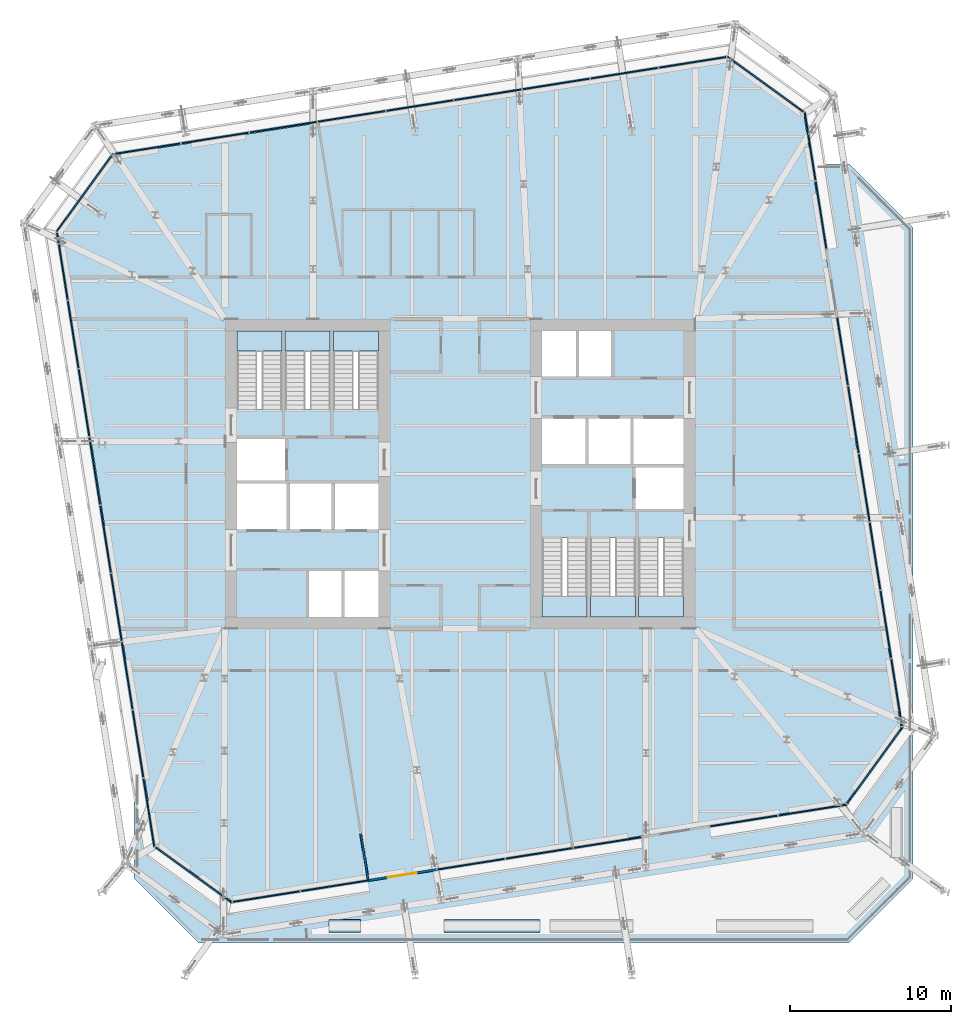
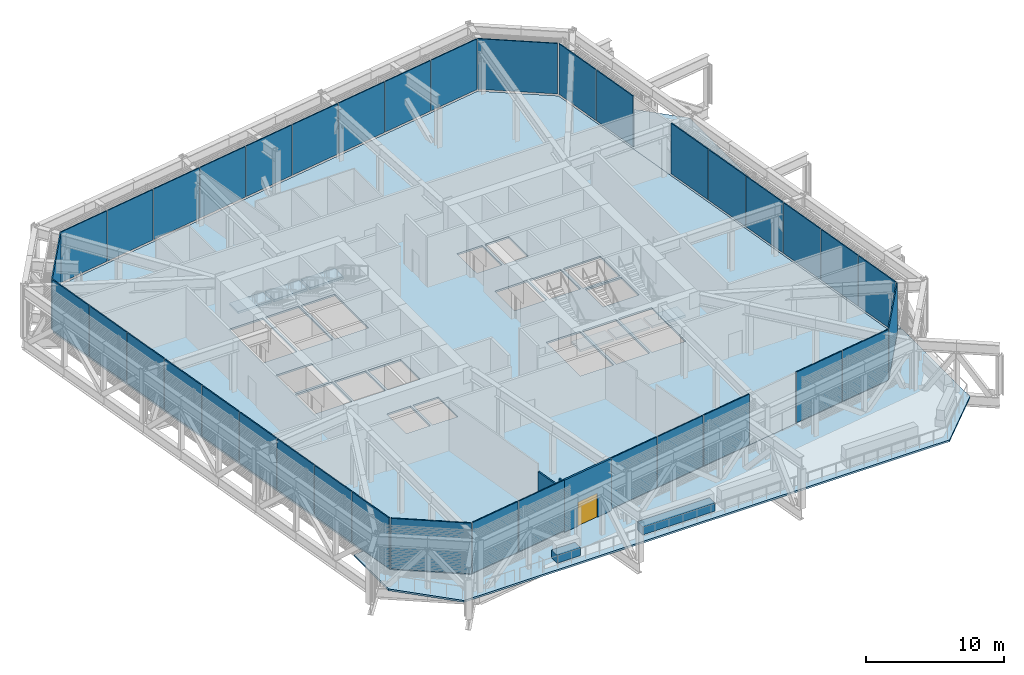
# One storey, part 18 of 32: 37 plates, 9 slabs, 5 walls, 1 door, 1 opening, 14 elements without a shape of their own.
"""IFC4 building model written with IfcOpenShell, lengths in metres."""

from ifc_helpers import new_model, si_unit, direction, frame, frame_2d, origin, place, context, subcontext, project, spatial, polyline, rectangle, outline, extrude, material, layer, layer_set, type_object, element, fill, aggregate, save


model = new_model("IFC4")

# Units and contexts
model_context = context("Model", 3, precision=1e-05, world=origin(), true_north=direction((0.0, 1.0)))
body_context = subcontext(model_context, "Body", "Model", "MODEL_VIEW")
ifc_project = project(units=[si_unit("LENGTHUNIT", "METRE"), si_unit("AREAUNIT", "SQUARE_METRE"), si_unit("VOLUMEUNIT", "CUBIC_METRE"), si_unit("PLANEANGLEUNIT", "RADIAN"), si_unit("MASSUNIT", "GRAM", prefix="KILO")], contexts=[model_context])

# Site, building, storey
site_placement = place(None, origin())
site = spatial("IfcSite", under=ifc_project, at=site_placement, CompositionType="ELEMENT")
building_placement = place(site_placement, origin())
building = spatial("IfcBuilding", under=site, at=building_placement, Name="Millrace Tower", CompositionType="ELEMENT")
storey_placement = place(building_placement, frame((0.0, 0.0, 124.89990234375)))
storey = spatial("IfcBuildingStorey", under=building, at=storey_placement, Name="L27", CompositionType="ELEMENT", Elevation=124.89990234375)

# Curtain wall, plate
ifc_material_1 = material(Name="Aluminium and glass", Category="aluminium")
ifc_layer_1 = layer(ifc_material_1, 0.14990234375)
ifc_layer_set_1 = layer_set([ifc_layer_1], Name="Aluminium and glass")
curtain_wall_type = type_object("IfcCurtainWallType", Name="CW-5 truss and plant storey louvred infill", PredefinedType="NOTDEFINED", material=ifc_layer_set_1)
placement_1 = place(storey_placement, origin())
curtain_wall_1 = element("IfcCurtainWall", 1, at=placement_1, inside=storey, type_object=curtain_wall_type, Name="Curtain wall C-F01 L27", PredefinedType="NOTDEFINED")
ifc_material_2 = material(Name="Glass", Category="glass")
ifc_layer_2 = layer(ifc_material_2, 0.090087890625)
ifc_layer_set_2 = layer_set([ifc_layer_2], Name="Glass")
plate_type = type_object("IfcPlateType", Name="CW-5 truss and plant storey louvred infill louvre cassette", PredefinedType="CURTAIN_PANEL", material=ifc_layer_set_2)
placement_2 = place(storey_placement, frame((0.0, 0.0, 0.14013671875)))
plate_1 = element("IfcPlate", 2, at=placement_2, type_object=plate_type, Name="CW5 panel C-F01.1", PredefinedType="CURTAIN_PANEL", context=body_context, shape_type="SweptSolid", body=[
    extrude(outline(polyline([(-19.001708984375, -23.273193359375), (-14.265869140625, -26.7138671875), (-14.2431640625, -26.619140625), (-18.94873046875, -23.200439453125), (-19.001708984375, -23.273193359375)])), origin(), (0.0, 0.0, 1.0), 4.4599609375),
])
aggregate(curtain_wall_1, [plate_1])

# Curtain wall, plates
curtain_wall_2 = element("IfcCurtainWall", 3, at=placement_1, inside=storey, type_object=curtain_wall_type, Name="Curtain wall C-F02 L27", PredefinedType="NOTDEFINED")
plate_2 = element("IfcPlate", 4, at=placement_2, type_object=plate_type, Name="CW5 panel C-F02.1", PredefinedType="CURTAIN_PANEL", context=body_context, shape_type="SweptSolid", body=[
    extrude(outline(polyline([(-14.152587890625, -26.696044921875), (-9.9697265625, -26.033447265625), (-9.98388671875, -25.944580078125), (-14.166748046875, -26.607177734375), (-14.152587890625, -26.696044921875)])), origin(), (0.0, 0.0, 1.0), 4.4599609375),
])
plate_3 = element("IfcPlate", 5, at=placement_2, type_object=plate_type, Name="CW5 panel C-F02.2", PredefinedType="CURTAIN_PANEL", context=body_context, shape_type="SweptSolid", body=[
    extrude(outline(polyline([(-9.905517578125, -26.0234375), (-5.72265625, -25.36083984375), (-5.73681640625, -25.27197265625), (-9.919677734375, -25.9345703125), (-9.905517578125, -26.0234375)])), origin(), (0.0, 0.0, 1.0), 4.4599609375),
])
plate_4 = element("IfcPlate", 6, at=placement_2, type_object=plate_type, Name="CW5 panel C-F02.4", PredefinedType="CURTAIN_PANEL", context=body_context, shape_type="SweptSolid", body=[
    extrude(outline(polyline([(-1.411376953125, -24.677978515625), (2.771484375, -24.015625), (2.75732421875, -23.9267578125), (-1.425537109375, -24.589111328125), (-1.411376953125, -24.677978515625)])), origin(), (0.0, 0.0, 1.0), 4.4599609375),
])
plate_5 = element("IfcPlate", 7, at=placement_2, type_object=plate_type, Name="CW5 panel C-F02.5", PredefinedType="CURTAIN_PANEL", context=body_context, shape_type="SweptSolid", body=[
    extrude(outline(polyline([(2.835693359375, -24.00537109375), (7.0185546875, -23.3427734375), (7.00439453125, -23.25390625), (2.821533203125, -23.91650390625), (2.835693359375, -24.00537109375)])), origin(), (0.0, 0.0, 1.0), 4.4599609375),
])
plate_6 = element("IfcPlate", 8, at=placement_2, type_object=plate_type, Name="CW5 panel C-F02.6", PredefinedType="CURTAIN_PANEL", context=body_context, shape_type="SweptSolid", body=[
    extrude(outline(polyline([(7.082763671875, -23.332763671875), (11.265625, -22.670166015625), (11.25146484375, -22.581298828125), (7.068603515625, -23.243896484375), (7.082763671875, -23.332763671875)])), origin(), (0.0, 0.0, 1.0), 4.4599609375),
])
plate_7 = element("IfcPlate", 9, at=placement_2, type_object=plate_type, Name="CW5 panel C-F02.8", PredefinedType="CURTAIN_PANEL", context=body_context, shape_type="SweptSolid", body=[
    extrude(outline(polyline([(15.576904296875, -21.9873046875), (19.759765625, -21.324951171875), (19.74560546875, -21.236083984375), (15.562744140625, -21.8984375), (15.576904296875, -21.9873046875)])), origin(), (0.0, 0.0, 1.0), 4.4599609375),
])
plate_8 = element("IfcPlate", 10, at=placement_2, type_object=plate_type, Name="CW5 panel C-F02.9", PredefinedType="CURTAIN_PANEL", context=body_context, shape_type="SweptSolid", body=[
    extrude(outline(polyline([(19.823974609375, -21.314697265625), (24.055908203125, -20.64453125), (24.0048828125, -20.561279296875), (19.809814453125, -21.225830078125), (19.823974609375, -21.314697265625)])), origin(), (0.0, 0.0, 1.0), 4.4599609375),
])
aggregate(curtain_wall_2, [plate_2, plate_3, plate_4, plate_5, plate_6, plate_7, plate_8])

# Curtain wall, plate
curtain_wall_3 = element("IfcCurtainWall", 11, at=placement_1, inside=storey, type_object=curtain_wall_type, Name="Curtain wall C-F03 L27", PredefinedType="NOTDEFINED")
plate_9 = element("IfcPlate", 12, at=placement_2, type_object=plate_type, Name="CW5 panel C-F03.1", PredefinedType="CURTAIN_PANEL", context=body_context, shape_type="SweptSolid", body=[
    extrude(outline(polyline([(24.123291015625, -20.551513671875), (27.56396484375, -15.81591796875), (27.46923828125, -15.793212890625), (24.050537109375, -20.498779296875), (24.123291015625, -20.551513671875)])), origin(), (0.0, 0.0, 1.0), 4.4599609375),
])
aggregate(curtain_wall_3, [plate_9])

# Curtain wall, plates
curtain_wall_4 = element("IfcCurtainWall", 13, at=placement_1, inside=storey, type_object=curtain_wall_type, Name="Curtain wall C-F04 L27", PredefinedType="NOTDEFINED")
plate_10 = element("IfcPlate", 14, at=placement_2, type_object=plate_type, Name="CW5 panel C-F04.1", PredefinedType="CURTAIN_PANEL", context=body_context, shape_type="SweptSolid", body=[
    extrude(outline(polyline([(27.546142578125, -15.70263671875), (26.883544921875, -11.519775390625), (26.794677734375, -11.53369140625), (27.45703125, -15.716552734375), (27.546142578125, -15.70263671875)])), origin(), (0.0, 0.0, 1.0), 4.4599609375),
])
plate_11 = element("IfcPlate", 15, at=placement_2, type_object=plate_type, Name="CW5 panel C-F04.2", PredefinedType="CURTAIN_PANEL", context=body_context, shape_type="SweptSolid", body=[
    extrude(outline(polyline([(26.873291015625, -11.45556640625), (26.2109375, -7.272705078125), (26.1220703125, -7.286865234375), (26.784423828125, -11.4697265625), (26.873291015625, -11.45556640625)])), origin(), (0.0, 0.0, 1.0), 4.4599609375),
])
plate_12 = element("IfcPlate", 16, at=placement_2, type_object=plate_type, Name="CW5 panel C-F04.3", PredefinedType="CURTAIN_PANEL", context=body_context, shape_type="SweptSolid", body=[
    extrude(outline(polyline([(26.20068359375, -7.20849609375), (25.5380859375, -3.025634765625), (25.44921875, -3.039794921875), (26.11181640625, -7.22265625), (26.20068359375, -7.20849609375)])), origin(), (0.0, 0.0, 1.0), 4.4599609375),
])
plate_13 = element("IfcPlate", 17, at=placement_2, type_object=plate_type, Name="CW5 panel C-F04.4", PredefinedType="CURTAIN_PANEL", context=body_context, shape_type="SweptSolid", body=[
    extrude(outline(polyline([(25.528076171875, -2.96142578125), (24.865478515625, 1.221435546875), (24.776611328125, 1.207275390625), (25.439208984375, -2.9755859375), (25.528076171875, -2.96142578125)])), origin(), (0.0, 0.0, 1.0), 4.4599609375),
])
plate_14 = element("IfcPlate", 18, at=placement_2, type_object=plate_type, Name="CW5 panel C-F04.5", PredefinedType="CURTAIN_PANEL", context=body_context, shape_type="SweptSolid", body=[
    extrude(outline(polyline([(24.85546875, 1.28564453125), (24.19287109375, 5.468505859375), (24.10400390625, 5.454345703125), (24.766357421875, 1.271484375), (24.85546875, 1.28564453125)])), origin(), (0.0, 0.0, 1.0), 4.4599609375),
])
plate_15 = element("IfcPlate", 19, at=placement_2, type_object=plate_type, Name="CW5 panel C-F04.6", PredefinedType="CURTAIN_PANEL", context=body_context, shape_type="SweptSolid", body=[
    extrude(outline(polyline([(24.1826171875, 5.53271484375), (23.520263671875, 9.715576171875), (23.431396484375, 9.701416015625), (24.09375, 5.5185546875), (24.1826171875, 5.53271484375)])), origin(), (0.0, 0.0, 1.0), 4.4599609375),
])
plate_16 = element("IfcPlate", 20, at=placement_2, type_object=plate_type, Name="CW5 panel C-F04.8", PredefinedType="CURTAIN_PANEL", context=body_context, shape_type="SweptSolid", body=[
    extrude(outline(polyline([(22.83740234375, 14.02685546875), (22.1748046875, 18.209716796875), (22.0859375, 18.195556640625), (22.74853515625, 14.0126953125), (22.83740234375, 14.02685546875)])), origin(), (0.0, 0.0, 1.0), 4.4599609375),
])
plate_17 = element("IfcPlate", 21, at=placement_2, type_object=plate_type, Name="CW5 panel C-F04.9", PredefinedType="CURTAIN_PANEL", context=body_context, shape_type="SweptSolid", body=[
    extrude(outline(polyline([(22.164794921875, 18.27392578125), (21.494384765625, 22.505859375), (21.411376953125, 22.454833984375), (22.07568359375, 18.259765625), (22.164794921875, 18.27392578125)])), origin(), (0.0, 0.0, 1.0), 4.4599609375),
])
aggregate(curtain_wall_4, [plate_10, plate_11, plate_12, plate_13, plate_14, plate_15, plate_16, plate_17])

# Curtain wall, plate
curtain_wall_5 = element("IfcCurtainWall", 22, at=placement_1, inside=storey, type_object=curtain_wall_type, Name="Curtain wall C-F05 L27", PredefinedType="NOTDEFINED")
plate_18 = element("IfcPlate", 23, at=placement_2, type_object=plate_type, Name="CW5 panel C-F05.1", PredefinedType="CURTAIN_PANEL", context=body_context, shape_type="SweptSolid", body=[
    extrude(outline(polyline([(21.401611328125, 22.5732421875), (16.665771484375, 26.013916015625), (16.64306640625, 25.919189453125), (21.3486328125, 22.50048828125), (21.401611328125, 22.5732421875)])), origin(), (0.0, 0.0, 1.0), 4.4599609375),
])
aggregate(curtain_wall_5, [plate_18])

# Curtain wall, plates
curtain_wall_6 = element("IfcCurtainWall", 24, at=placement_1, inside=storey, type_object=curtain_wall_type, Name="Curtain wall C-F06 L27", PredefinedType="NOTDEFINED")
plate_19 = element("IfcPlate", 25, at=placement_2, type_object=plate_type, Name="CW5 panel C-F06.1", PredefinedType="CURTAIN_PANEL", context=body_context, shape_type="SweptSolid", body=[
    extrude(outline(polyline([(16.552490234375, 25.99609375), (12.36962890625, 25.33349609375), (12.3837890625, 25.24462890625), (16.566650390625, 25.9072265625), (16.552490234375, 25.99609375)])), origin(), (0.0, 0.0, 1.0), 4.4599609375),
])
plate_20 = element("IfcPlate", 26, at=placement_2, type_object=plate_type, Name="CW5 panel C-F06.2", PredefinedType="CURTAIN_PANEL", context=body_context, shape_type="SweptSolid", body=[
    extrude(outline(polyline([(12.305419921875, 25.323486328125), (8.12255859375, 24.660888671875), (8.13671875, 24.572021484375), (12.319580078125, 25.234375), (12.305419921875, 25.323486328125)])), origin(), (0.0, 0.0, 1.0), 4.4599609375),
])
plate_21 = element("IfcPlate", 27, at=placement_2, type_object=plate_type, Name="CW5 panel C-F06.3", PredefinedType="CURTAIN_PANEL", context=body_context, shape_type="SweptSolid", body=[
    extrude(outline(polyline([(8.058349609375, 24.650634765625), (3.87548828125, 23.98828125), (3.8896484375, 23.8994140625), (8.072509765625, 24.561767578125), (8.058349609375, 24.650634765625)])), origin(), (0.0, 0.0, 1.0), 4.4599609375),
])
plate_22 = element("IfcPlate", 28, at=placement_2, type_object=plate_type, Name="CW5 panel C-F06.4", PredefinedType="CURTAIN_PANEL", context=body_context, shape_type="SweptSolid", body=[
    extrude(outline(polyline([(3.8115234375, 23.97802734375), (-0.371337890625, 23.3154296875), (-0.357421875, 23.2265625), (3.825439453125, 23.88916015625), (3.8115234375, 23.97802734375)])), origin(), (0.0, 0.0, 1.0), 4.4599609375),
])
plate_23 = element("IfcPlate", 29, at=placement_2, type_object=plate_type, Name="CW5 panel C-F06.5", PredefinedType="CURTAIN_PANEL", context=body_context, shape_type="SweptSolid", body=[
    extrude(outline(polyline([(-0.435546875, 23.305419921875), (-4.618408203125, 22.642822265625), (-4.6044921875, 22.553955078125), (-0.421630859375, 23.216552734375), (-0.435546875, 23.305419921875)])), origin(), (0.0, 0.0, 1.0), 4.4599609375),
])
plate_24 = element("IfcPlate", 30, at=placement_2, type_object=plate_type, Name="CW5 panel C-F06.6", PredefinedType="CURTAIN_PANEL", context=body_context, shape_type="SweptSolid", body=[
    extrude(outline(polyline([(-4.6826171875, 22.6328125), (-8.865478515625, 21.97021484375), (-8.8515625, 21.88134765625), (-4.668701171875, 22.543701171875), (-4.6826171875, 22.6328125)])), origin(), (0.0, 0.0, 1.0), 4.4599609375),
])
plate_25 = element("IfcPlate", 31, at=placement_2, type_object=plate_type, Name="CW5 panel C-F06.7", PredefinedType="CURTAIN_PANEL", context=body_context, shape_type="SweptSolid", body=[
    extrude(outline(polyline([(-8.9296875, 21.9599609375), (-13.112548828125, 21.297607421875), (-13.0986328125, 21.208740234375), (-8.915771484375, 21.87109375), (-8.9296875, 21.9599609375)])), origin(), (0.0, 0.0, 1.0), 4.4599609375),
])
plate_26 = element("IfcPlate", 32, at=placement_2, type_object=plate_type, Name="CW5 panel C-F06.8", PredefinedType="CURTAIN_PANEL", context=body_context, shape_type="SweptSolid", body=[
    extrude(outline(polyline([(-13.1767578125, 21.287353515625), (-17.359619140625, 20.624755859375), (-17.345703125, 20.535888671875), (-13.162841796875, 21.198486328125), (-13.1767578125, 21.287353515625)])), origin(), (0.0, 0.0, 1.0), 4.4599609375),
])
plate_27 = element("IfcPlate", 33, at=placement_2, type_object=plate_type, Name="CW5 panel C-F06.9", PredefinedType="CURTAIN_PANEL", context=body_context, shape_type="SweptSolid", body=[
    extrude(outline(polyline([(-17.423828125, 20.61474609375), (-21.65576171875, 19.9443359375), (-21.60498046875, 19.861328125), (-17.409912109375, 20.52587890625), (-17.423828125, 20.61474609375)])), origin(), (0.0, 0.0, 1.0), 4.4599609375),
])
aggregate(curtain_wall_6, [plate_19, plate_20, plate_21, plate_22, plate_23, plate_24, plate_25, plate_26, plate_27])

# Curtain wall, plate
curtain_wall_7 = element("IfcCurtainWall", 34, at=placement_1, inside=storey, type_object=curtain_wall_type, Name="Curtain wall C-F07 L27", PredefinedType="NOTDEFINED")
plate_28 = element("IfcPlate", 35, at=placement_2, type_object=plate_type, Name="CW5 panel C-F07.1", PredefinedType="CURTAIN_PANEL", context=body_context, shape_type="SweptSolid", body=[
    extrude(outline(polyline([(-21.723388671875, 19.8515625), (-25.1640625, 15.115966796875), (-25.0693359375, 15.093017578125), (-21.650390625, 19.798828125), (-21.723388671875, 19.8515625)])), origin(), (0.0, 0.0, 1.0), 4.4599609375),
])
aggregate(curtain_wall_7, [plate_28])

# Curtain wall, plates
curtain_wall_8 = element("IfcCurtainWall", 36, at=placement_1, inside=storey, type_object=curtain_wall_type, Name="Curtain wall C-F08 L27", PredefinedType="NOTDEFINED")
plate_29 = element("IfcPlate", 37, at=placement_2, type_object=plate_type, Name="CW5 panel C-F08.1", PredefinedType="CURTAIN_PANEL", context=body_context, shape_type="SweptSolid", body=[
    extrude(outline(polyline([(-25.14599609375, 15.002685546875), (-24.483642578125, 10.81982421875), (-24.39453125, 10.833740234375), (-25.05712890625, 15.0166015625), (-25.14599609375, 15.002685546875)])), origin(), (0.0, 0.0, 1.0), 4.4599609375),
])
plate_30 = element("IfcPlate", 38, at=placement_2, type_object=plate_type, Name="CW5 panel C-F08.2", PredefinedType="CURTAIN_PANEL", context=body_context, shape_type="SweptSolid", body=[
    extrude(outline(polyline([(-24.473388671875, 10.755615234375), (-23.810791015625, 6.57275390625), (-23.721923828125, 6.586669921875), (-24.384521484375, 10.76953125), (-24.473388671875, 10.755615234375)])), origin(), (0.0, 0.0, 1.0), 4.4599609375),
])
plate_31 = element("IfcPlate", 39, at=placement_2, type_object=plate_type, Name="CW5 panel C-F08.3", PredefinedType="CURTAIN_PANEL", context=body_context, shape_type="SweptSolid", body=[
    extrude(outline(polyline([(-23.80078125, 6.508544921875), (-23.13818359375, 2.32568359375), (-23.04931640625, 2.339599609375), (-23.7119140625, 6.5224609375), (-23.80078125, 6.508544921875)])), origin(), (0.0, 0.0, 1.0), 4.4599609375),
])
plate_32 = element("IfcPlate", 40, at=placement_2, type_object=plate_type, Name="CW5 panel C-F08.4", PredefinedType="CURTAIN_PANEL", context=body_context, shape_type="SweptSolid", body=[
    extrude(outline(polyline([(-23.1279296875, 2.261474609375), (-22.465576171875, -1.92138671875), (-22.376708984375, -1.907470703125), (-23.0390625, 2.275390625), (-23.1279296875, 2.261474609375)])), origin(), (0.0, 0.0, 1.0), 4.4599609375),
])
plate_33 = element("IfcPlate", 41, at=placement_2, type_object=plate_type, Name="CW5 panel C-F08.5", PredefinedType="CURTAIN_PANEL", context=body_context, shape_type="SweptSolid", body=[
    extrude(outline(polyline([(-22.455322265625, -1.985595703125), (-21.79296875, -6.16845703125), (-21.703857421875, -6.154541015625), (-22.366455078125, -1.9716796875), (-22.455322265625, -1.985595703125)])), origin(), (0.0, 0.0, 1.0), 4.4599609375),
])
plate_34 = element("IfcPlate", 42, at=placement_2, type_object=plate_type, Name="CW5 panel C-F08.6", PredefinedType="CURTAIN_PANEL", context=body_context, shape_type="SweptSolid", body=[
    extrude(outline(polyline([(-21.78271484375, -6.232666015625), (-21.1201171875, -10.41552734375), (-21.03125, -10.401611328125), (-21.69384765625, -6.21875), (-21.78271484375, -6.232666015625)])), origin(), (0.0, 0.0, 1.0), 4.4599609375),
])
plate_35 = element("IfcPlate", 43, at=placement_2, type_object=plate_type, Name="CW5 panel C-F08.7", PredefinedType="CURTAIN_PANEL", context=body_context, shape_type="SweptSolid", body=[
    extrude(outline(polyline([(-21.110107421875, -10.479736328125), (-20.447509765625, -14.66259765625), (-20.358642578125, -14.6484375), (-21.021240234375, -10.465576171875), (-21.110107421875, -10.479736328125)])), origin(), (0.0, 0.0, 1.0), 4.4599609375),
])
plate_36 = element("IfcPlate", 44, at=placement_2, type_object=plate_type, Name="CW5 panel C-F08.8", PredefinedType="CURTAIN_PANEL", context=body_context, shape_type="SweptSolid", body=[
    extrude(outline(polyline([(-20.437255859375, -14.726806640625), (-19.77490234375, -18.90966796875), (-19.68603515625, -18.8955078125), (-20.348388671875, -14.712646484375), (-20.437255859375, -14.726806640625)])), origin(), (0.0, 0.0, 1.0), 4.4599609375),
])
plate_37 = element("IfcPlate", 45, at=placement_2, type_object=plate_type, Name="CW5 panel C-F08.9", PredefinedType="CURTAIN_PANEL", context=body_context, shape_type="SweptSolid", body=[
    extrude(outline(polyline([(-19.7646484375, -18.973876953125), (-19.094482421875, -23.205810546875), (-19.011474609375, -23.155029296875), (-19.67578125, -18.959716796875), (-19.7646484375, -18.973876953125)])), origin(), (0.0, 0.0, 1.0), 4.4599609375),
])
aggregate(curtain_wall_8, [plate_29, plate_30, plate_31, plate_32, plate_33, plate_34, plate_35, plate_36, plate_37])

# Slabs
ifc_material_3 = material(Name="Concrete C35 on steel deck", Category="concrete")
ifc_layer_3 = layer(ifc_material_3, 0.159912109375)
ifc_layer_set_3 = layer_set([ifc_layer_3], Name="Concrete C35 on steel deck")
slab_type_1 = type_object("IfcSlabType", Name="Composite floor slab 160 mm", PredefinedType="FLOOR", material=ifc_layer_set_3)
placement_3 = place(storey_placement, frame((0.0, 0.0, -0.159912109375)))
element("IfcSlab", 46, at=placement_3, inside=storey, type_object=slab_type_1, Name="SL-C-L27-S1", PredefinedType="FLOOR", context=body_context, shape_type="SweptSolid", body=[
    extrude(outline(polyline([(-18.983642578125, -23.137939453125), (-14.235595703125, -26.587646484375), (23.988037109375, -20.53369140625), (27.437744140625, -15.78564453125), (21.3837890625, 22.43798828125), (16.635498046875, 25.8876953125), (-21.587890625, 19.833740234375), (-25.03759765625, 15.08544921875), (-18.983642578125, -23.137939453125)]), holes=[polyline([(-9.39990234375, -8.89990234375), (-7.39990234375, -8.89990234375), (-7.39990234375, -6.050048828125), (-9.39990234375, -6.050048828125), (-9.39990234375, -8.89990234375)]), polyline([(-7.199951171875, -8.89990234375), (-5.10009765625, -8.89990234375), (-5.10009765625, -6.050048828125), (-7.199951171875, -6.050048828125), (-7.199951171875, -8.89990234375)]), polyline([(-13.89990234375, -3.449951171875), (-10.800048828125, -3.449951171875), (-10.800048828125, -0.60009765625), (-13.89990234375, -0.60009765625), (-13.89990234375, -3.449951171875)]), polyline([(-10.60009765625, -3.449951171875), (-8.0, -3.449951171875), (-8.0, -0.60009765625), (-10.60009765625, -0.60009765625), (-10.60009765625, -3.449951171875)]), polyline([(-7.800048828125, -3.449951171875), (-5.10009765625, -3.449951171875), (-5.10009765625, -0.60009765625), (-7.800048828125, -0.60009765625), (-7.800048828125, -3.449951171875)]), polyline([(-13.89990234375, -0.39990234375), (-10.89990234375, -0.39990234375), (-10.89990234375, 2.179931640625), (-13.89990234375, 2.179931640625), (-13.89990234375, -0.39990234375)]), polyline([(-13.89990234375, 4.0), (-11.10009765625, 4.0), (-11.10009765625, 8.89990234375), (-13.89990234375, 8.89990234375), (-13.89990234375, 4.0)]), polyline([(-10.89990234375, 4.0), (-8.10009765625, 4.0), (-8.10009765625, 8.89990234375), (-10.89990234375, 8.89990234375), (-10.89990234375, 4.0)]), polyline([(-7.89990234375, 4.0), (-5.10009765625, 4.0), (-5.10009765625, 8.89990234375), (-7.89990234375, 8.89990234375), (-7.89990234375, 4.0)]), polyline([(7.39990234375, 6.050048828125), (9.39990234375, 6.050048828125), (9.39990234375, 8.89990234375), (7.39990234375, 8.89990234375), (7.39990234375, 6.050048828125)]), polyline([(5.10009765625, 6.050048828125), (7.199951171875, 6.050048828125), (7.199951171875, 8.89990234375), (5.10009765625, 8.89990234375), (5.10009765625, 6.050048828125)]), polyline([(10.800048828125, 0.60009765625), (13.89990234375, 0.60009765625), (13.89990234375, 3.449951171875), (10.800048828125, 3.449951171875), (10.800048828125, 0.60009765625)]), polyline([(8.0, 0.60009765625), (10.60009765625, 0.60009765625), (10.60009765625, 3.449951171875), (8.0, 3.449951171875), (8.0, 0.60009765625)]), polyline([(5.10009765625, 0.60009765625), (7.800048828125, 0.60009765625), (7.800048828125, 3.449951171875), (5.10009765625, 3.449951171875), (5.10009765625, 0.60009765625)]), polyline([(10.89990234375, -2.179931640625), (13.89990234375, -2.179931640625), (13.89990234375, 0.39990234375), (10.89990234375, 0.39990234375), (10.89990234375, -2.179931640625)]), polyline([(11.10009765625, -8.89990234375), (13.89990234375, -8.89990234375), (13.89990234375, -4.0), (11.10009765625, -4.0), (11.10009765625, -8.89990234375)]), polyline([(8.10009765625, -8.89990234375), (10.89990234375, -8.89990234375), (10.89990234375, -4.0), (8.10009765625, -4.0), (8.10009765625, -8.89990234375)]), polyline([(5.10009765625, -8.89990234375), (7.89990234375, -8.89990234375), (7.89990234375, -4.0), (5.10009765625, -4.0), (5.10009765625, -8.89990234375)])]), origin(), (0.0, 0.0, 1.0), 0.159912109375),
])
ifc_material_4 = material(Name="Concrete C35 on steel deck", Category="concrete")
ifc_layer_4 = layer(ifc_material_4, 0.159912109375)
ifc_layer_set_4 = layer_set([ifc_layer_4], Name="Concrete C35 on steel deck")
slab_type_2 = type_object("IfcSlabType", Name="Composite roof slab 160 mm", PredefinedType="ROOF", material=ifc_layer_set_4)
element("IfcSlab", 47, at=placement_3, inside=storey, type_object=slab_type_2, Name="SL-B-L26-R1", PredefinedType="ROOF", context=body_context, shape_type="SweptSolid", body=[
    extrude(outline(polyline([(27.818115234375, -15.261962890625), (28.199951171875, -15.38623046875), (28.199951171875, -25.199951171875), (24.199951171875, -29.199951171875), (-16.300048828125, -29.199951171875), (-20.300048828125, -25.199951171875), (-20.300048828125, -20.21630859375), (-19.45703125, -20.14990234375), (-18.983642578125, -23.137939453125), (-14.235595703125, -26.587646484375), (23.988037109375, -20.53369140625), (27.818115234375, -15.261962890625)])), origin(), (0.0, 0.0, 1.0), 0.159912109375),
])
element("IfcSlab", 48, at=placement_3, inside=storey, type_object=slab_type_2, Name="SL-B-L26-R2", PredefinedType="ROOF", context=body_context, shape_type="SweptSolid", body=[
    extrude(outline(polyline([(24.199951171875, 19.300048828125), (28.199951171875, 15.300048828125), (28.199951171875, -15.209228515625), (27.35693359375, -15.275634765625), (21.880615234375, 19.300048828125), (24.199951171875, 19.300048828125)])), origin(), (0.0, 0.0, 1.0), 0.159912109375),
])

# Stair, slab
ifc_material_5 = material(Name="Concrete C35", Category="concrete")
stair_type = type_object("IfcStairType", Name="Exit stair", PredefinedType="HALF_TURN_STAIR", material=ifc_material_5)
stair_1 = element("IfcStair", 49, at=placement_1, inside=storey, type_object=stair_type, Name="Stair 1 W L27", PredefinedType="HALF_TURN_STAIR")
ifc_material_6 = material(Name="Concrete C40", Category="concrete")
ifc_layer_5 = layer(ifc_material_6, 0.199951171875)
ifc_layer_set_5 = layer_set([ifc_layer_5], Name="Concrete C40")
slab_type_3 = type_object("IfcSlabType", Name="Stair landing", PredefinedType="LANDING", material=ifc_layer_set_5)
placement_4 = place(storey_placement, frame((0.0, 0.0, 2.10009765625)))
slab_4 = element("IfcSlab", 50, at=placement_4, type_object=slab_type_3, Name="ST12 landing 1", PredefinedType="LANDING", context=body_context, shape_type="SweptSolid", body=[
    extrude(outline(polyline([(-13.89990234375, 7.639892578125), (-11.10009765625, 7.639892578125), (-11.10009765625, 8.89990234375), (-13.89990234375, 8.89990234375), (-13.89990234375, 7.639892578125)])), origin(), (0.0, 0.0, 1.0), 0.199951171875),
])
aggregate(stair_1, [slab_4])

stair_2 = element("IfcStair", 51, at=placement_1, inside=storey, type_object=stair_type, Name="Stair 2 W L27", PredefinedType="HALF_TURN_STAIR")
slab_5 = element("IfcSlab", 52, at=placement_4, type_object=slab_type_3, Name="ST12 landing 1", PredefinedType="LANDING", context=body_context, shape_type="SweptSolid", body=[
    extrude(outline(polyline([(-10.89990234375, 7.639892578125), (-8.10009765625, 7.639892578125), (-8.10009765625, 8.89990234375), (-10.89990234375, 8.89990234375), (-10.89990234375, 7.639892578125)])), origin(), (0.0, 0.0, 1.0), 0.199951171875),
])
aggregate(stair_2, [slab_5])

stair_3 = element("IfcStair", 53, at=placement_1, inside=storey, type_object=stair_type, Name="Stair 3 W L27", PredefinedType="HALF_TURN_STAIR")
slab_6 = element("IfcSlab", 54, at=placement_4, type_object=slab_type_3, Name="ST12 landing 1", PredefinedType="LANDING", context=body_context, shape_type="SweptSolid", body=[
    extrude(outline(polyline([(-7.89990234375, 7.639892578125), (-5.10009765625, 7.639892578125), (-5.10009765625, 8.89990234375), (-7.89990234375, 8.89990234375), (-7.89990234375, 7.639892578125)])), origin(), (0.0, 0.0, 1.0), 0.199951171875),
])
aggregate(stair_3, [slab_6])

stair_4 = element("IfcStair", 55, at=placement_1, inside=storey, type_object=stair_type, Name="Stair 1 E L27", PredefinedType="HALF_TURN_STAIR")
slab_7 = element("IfcSlab", 56, at=placement_4, type_object=slab_type_3, Name="ST12 landing 1", PredefinedType="LANDING", context=body_context, shape_type="SweptSolid", body=[
    extrude(outline(polyline([(11.10009765625, -8.89990234375), (13.89990234375, -8.89990234375), (13.89990234375, -7.639892578125), (11.10009765625, -7.639892578125), (11.10009765625, -8.89990234375)])), origin(), (0.0, 0.0, 1.0), 0.199951171875),
])
aggregate(stair_4, [slab_7])

stair_5 = element("IfcStair", 57, at=placement_1, inside=storey, type_object=stair_type, Name="Stair 2 E L27", PredefinedType="HALF_TURN_STAIR")
slab_8 = element("IfcSlab", 58, at=placement_4, type_object=slab_type_3, Name="ST12 landing 1", PredefinedType="LANDING", context=body_context, shape_type="SweptSolid", body=[
    extrude(outline(polyline([(8.10009765625, -8.89990234375), (10.89990234375, -8.89990234375), (10.89990234375, -7.639892578125), (8.10009765625, -7.639892578125), (8.10009765625, -8.89990234375)])), origin(), (0.0, 0.0, 1.0), 0.199951171875),
])
aggregate(stair_5, [slab_8])

stair_6 = element("IfcStair", 59, at=placement_1, inside=storey, type_object=stair_type, Name="Stair 3 E L27", PredefinedType="HALF_TURN_STAIR")
slab_9 = element("IfcSlab", 60, at=placement_4, type_object=slab_type_3, Name="ST12 landing 1", PredefinedType="LANDING", context=body_context, shape_type="SweptSolid", body=[
    extrude(outline(polyline([(5.10009765625, -8.89990234375), (7.89990234375, -8.89990234375), (7.89990234375, -7.639892578125), (5.10009765625, -7.639892578125), (5.10009765625, -8.89990234375)])), origin(), (0.0, 0.0, 1.0), 0.199951171875),
])
aggregate(stair_6, [slab_9])

# Wall, opening, door
ifc_material_7 = material(Name="Aluminium framed glazing", Category="aluminium")
ifc_layer_6 = layer(ifc_material_7, 0.14990234375)
ifc_layer_set_6 = layer_set([ifc_layer_6], Name="Aluminium framed glazing")
wall_type_1 = type_object("IfcWallType", Name="Entrance infill wall 150 thick", PredefinedType="STANDARD", material=ifc_layer_set_6)
wall_1_placement = place(storey_placement, frame((-5.729736328125, -25.31640625, 0.0), z_axis=(0.0, 0.0, 1.0), x_axis=(0.987687570006, 0.156439330274, 0.0)))
wall_1 = element("IfcWall", 61, at=wall_1_placement, inside=storey, type_object=wall_type_1, Name="Entrance infill wall C-F02 3", PredefinedType="STANDARD", context=body_context, shape_type="SweptSolid", body=[
    extrude(rectangle(XDim=4.364990234375, YDim=0.14990234375, at=frame_2d((2.1826171875, 0.0))), origin(), (0.0, 0.0, 1.0), 4.60009765625),
])
opening_placement = place(wall_1_placement, frame((1.25, 0.0, 0.0)))
opening = element("IfcOpeningElement", 62, at=opening_placement, cuts=wall_1, Name="Opening 27-X001", PredefinedType="OPENING", context=body_context, shape_type="SweptSolid", body=[
    extrude(rectangle(XDim=1.800048828125, YDim=2.10009765625, at=frame_2d((0.89990234375, 1.050048828125))), frame((0.0, 0.0849609375, 0.0), z_axis=(0.0, -1.0, 0.0), x_axis=(1.0, 0.0, 0.0)), (0.0, 0.0, 1.0), 0.169921875),
])
ifc_material_8 = material(Name="Aluminium and glass", Category="aluminium")
door_type = type_object("IfcDoorType", Name="Terrace double door", OperationType="DOUBLE_DOOR_DOUBLE_SWING", PredefinedType="DOOR", material=ifc_material_8)
door_placement = place(opening_placement, frame((1.800048828125, 0.0, 0.0), z_axis=(0.0, 0.0, 1.0), x_axis=(-1.0, 0.0, 0.0)))
door = element("IfcDoor", 63, at=door_placement, inside=storey, type_object=door_type, Name="27-X001", OperationType="DOUBLE_DOOR_DOUBLE_SWING", OverallHeight=2.10009765625, OverallWidth=1.800048828125, PredefinedType="DOOR", context=body_context, shape_type="SweptSolid", body=[
    extrude(rectangle(XDim=1.800048828125, YDim=2.10009765625, at=frame_2d((0.89990234375, 1.050048828125))), frame((0.0, 0.02490234375, 0.0), z_axis=(0.0, -1.0, 0.0), x_axis=(1.0, 0.0, 0.0)), (0.0, 0.0, 1.0), 0.050048828125),
])
fill(opening, door)

# Walls
ifc_material_9 = material(Name="Concrete C40", Category="concrete")
ifc_layer_7 = layer(ifc_material_9, 0.800048828125)
ifc_layer_set_7 = layer_set([ifc_layer_7], Name="Concrete C40")
wall_type_2 = type_object("IfcWallType", Name="PLANTER raised bed 700 high x 800 thick", PredefinedType="STANDARD", material=ifc_layer_set_7)
wall_2_placement = place(storey_placement, frame((-8.16015625, -28.14990234375, 0.0400390625), z_axis=(0.0, 0.0, 1.0), x_axis=(1.0, 0.0, 0.0)))
element("IfcWall", 64, at=wall_2_placement, inside=storey, type_object=wall_type_2, Name="PLANTER raised bed T-L26-1 1.1.0", PredefinedType="STANDARD", context=body_context, shape_type="SweptSolid", body=[
    extrude(rectangle(XDim=1.942138671875, YDim=0.800048828125, at=frame_2d((0.97119140625, 0.0))), origin(), (0.0, 0.0, 1.0), 0.699951171875),
])
wall_3_placement = place(storey_placement, frame((-1.017822265625, -28.14990234375, 0.0400390625), z_axis=(0.0, 0.0, 1.0), x_axis=(1.0, 0.0, 0.0)))
element("IfcWall", 65, at=wall_3_placement, inside=storey, type_object=wall_type_2, Name="PLANTER raised bed T-L26-1 1.1.1", PredefinedType="STANDARD", context=body_context, shape_type="SweptSolid", body=[
    extrude(rectangle(XDim=6.0, YDim=0.800048828125, at=frame_2d((3.0, 0.0))), origin(), (0.0, 0.0, 1.0), 0.699951171875),
])
ifc_material_10 = material(Name="Gypsum board partition")
ifc_layer_8 = layer(ifc_material_10, 0.1201171875)
ifc_layer_set_8 = layer_set([ifc_layer_8], Name="Gypsum board partition")
wall_type_3 = type_object("IfcWallType", Name="Partition wall 120", PredefinedType="PARTITIONING", material=ifc_layer_set_8)
wall_4_placement = place(storey_placement, frame((-6.1875, -22.427978515625, 0.0), z_axis=(0.0, 0.0, 1.0), x_axis=(0.156354603189, -0.98770098616, 0.0)))
element("IfcWall", 66, at=wall_4_placement, inside=storey, type_object=wall_type_3, Name="Partition wall L27", PredefinedType="PARTITIONING", context=body_context, shape_type="SweptSolid", body=[
    extrude(rectangle(XDim=2.3984375, YDim=0.1201171875, at=frame_2d((1.19921875, 0.0))), origin(), (0.0, 0.0, 1.0), 3.74658203125),
])
wall_5_placement = place(storey_placement, frame((-5.8125, -24.796875, 0.0), z_axis=(0.0, 0.0, 1.0), x_axis=(0.156327454925, -0.98770528339, 0.0)))
element("IfcWall", 67, at=wall_5_placement, inside=storey, type_object=wall_type_3, Name="Partition wall L27", PredefinedType="PARTITIONING", context=body_context, shape_type="SweptSolid", body=[
    extrude(rectangle(XDim=0.48095703125, YDim=0.1201171875, at=frame_2d((0.240478515625, 0.0))), origin(), (0.0, 0.0, 1.0), 4.440185546875),
])

save(model, "model.ifc")
